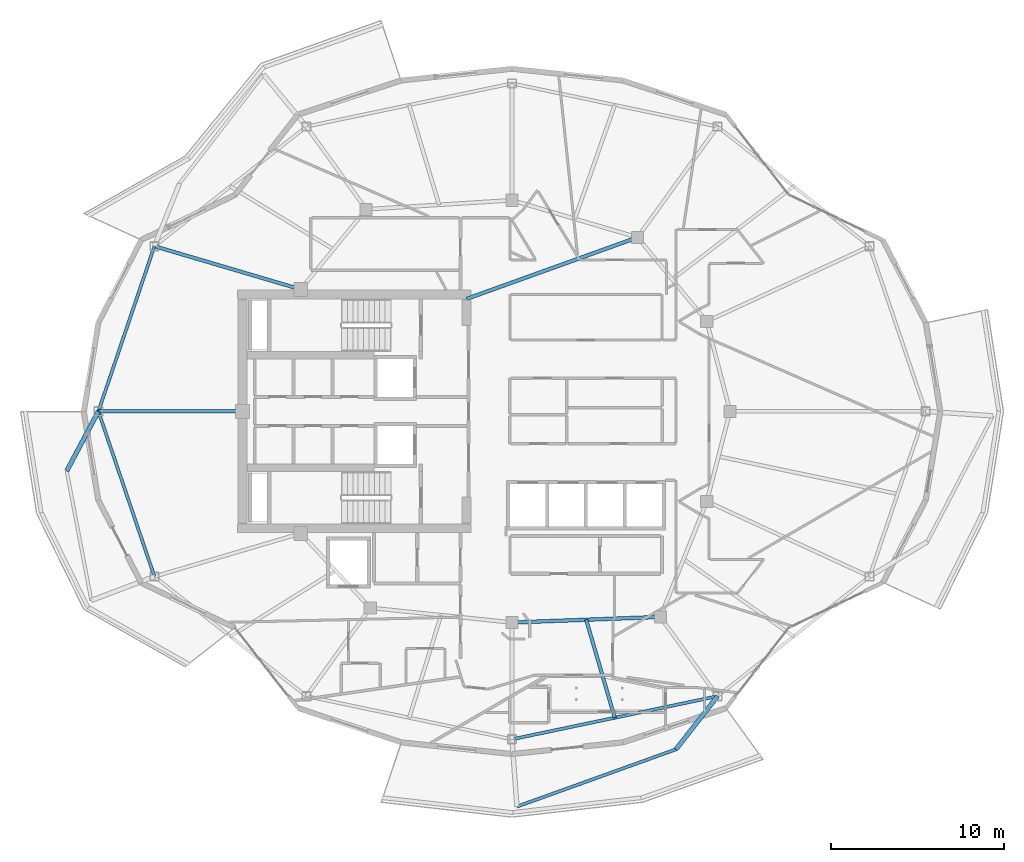
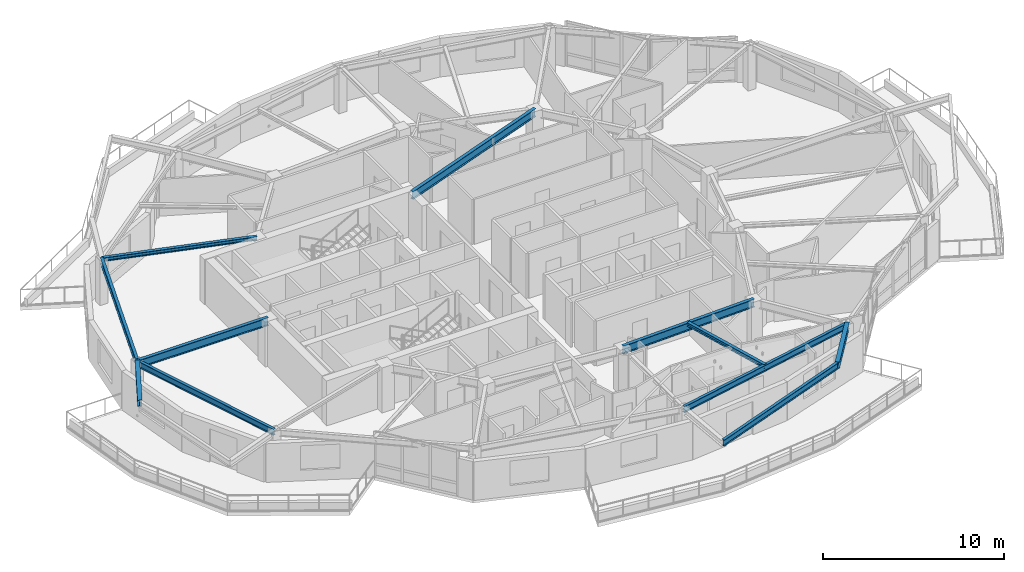
# One storey, part 3 of 21: 11 beams.
"""IFC4 building model written with IfcOpenShell, lengths in metres."""

from ifc_helpers import new_model, si_unit, direction, frame, origin, origin_2d, place, context, subcontext, project, spatial, i_section, extrude, material, material_profile, profile_set, type_object, element, save


model = new_model("IFC4")

# Units and contexts
model_context = context("Model", 3, precision=1e-05, world=origin(), true_north=direction((0.0, 1.0)))
body_context = subcontext(model_context, "Body", "Model", "MODEL_VIEW")
ifc_project = project(units=[si_unit("LENGTHUNIT", "METRE"), si_unit("AREAUNIT", "SQUARE_METRE"), si_unit("VOLUMEUNIT", "CUBIC_METRE"), si_unit("PLANEANGLEUNIT", "RADIAN"), si_unit("MASSUNIT", "GRAM", prefix="KILO")], contexts=[model_context])

# Site, building, storey
site_placement = place(None, origin())
site = spatial("IfcSite", under=ifc_project, at=site_placement, CompositionType="ELEMENT")
building_placement = place(site_placement, origin())
building = spatial("IfcBuilding", under=site, at=building_placement, Name="Kolvaren Gate Tower and Convention Centre", CompositionType="ELEMENT")
storey_placement = place(building_placement, frame((0.0, 0.0, 226.10009765625)))
storey = spatial("IfcBuildingStorey", under=building, at=storey_placement, Name="L60", CompositionType="ELEMENT", Elevation=226.10009765625)

# Beams
ifc_material = material(Name="Structural steel ASTM A992 Grade 345 MPa", Category="steel")
ifc_material_profile_1 = material_profile(ifc_material, i_section(OverallWidth=0.260009765625, OverallDepth=0.419921875, WebThickness=0.013427734375, FlangeThickness=0.0224609375, at=origin_2d()), Name="W410X132")
ifc_profile_set_1 = profile_set([ifc_material_profile_1], Name="Structural steel ASTM A992 Grade 345 MPa")
beam_type_1 = type_object("IfcBeamType", Name="STR-BM-W410X132", PredefinedType="BEAM", material=ifc_profile_set_1)
beam_1_placement = place(storey_placement, frame((6.22509765625, 27.0, 2.8203125), z_axis=(-0.469557949111, -0.882901655014, 0.0), x_axis=(0.882901655014, -0.469557949111, 0.0)))
element("IfcBeam", 1, at=beam_1_placement, inside=storey, type_object=beam_type_1, Name="Tower L61 Planted Balcony Outrigger Cantilever BC-2A", PredefinedType="BEAM", context=body_context, shape_type="SweptSolid", body=[
    extrude(i_section(OverallWidth=0.260009765625, OverallDepth=0.419921875, WebThickness=0.013427734375, FlangeThickness=0.0224609375, at=origin_2d()), origin(), (0.0, 0.0, 1.0), 3.900146484375),
])
beam_2_placement = place(storey_placement, frame((42.002685546875, 10.5419921875, 2.8203125), z_axis=(-0.615984127809, -0.787758563449, 0.0), x_axis=(0.787758563449, -0.615984127809, 0.0)))
element("IfcBeam", 2, at=beam_2_placement, inside=storey, type_object=beam_type_1, Name="Tower L61 Planted Balcony Outrigger Cantilever BC-3B", PredefinedType="BEAM", context=body_context, shape_type="SweptSolid", body=[
    extrude(i_section(OverallWidth=0.260009765625, OverallDepth=0.419921875, WebThickness=0.013427734375, FlangeThickness=0.0224609375, at=origin_2d()), origin(), (0.0, 0.0, 1.0), 3.89990234375),
])
ifc_material_profile_2 = material_profile(ifc_material, i_section(OverallWidth=0.2119140625, OverallDepth=0.5439453125, WebThickness=0.01318359375, FlangeThickness=0.021240234375, at=origin_2d()), Name="W530X123")
ifc_profile_set_2 = profile_set([ifc_material_profile_2], Name="Structural steel ASTM A992 Grade 345 MPa")
beam_type_2 = type_object("IfcBeamType", Name="STR-BM-W530X123", PredefinedType="BEAM", material=ifc_profile_set_2)
beam_3_placement = place(storey_placement, frame((30.125, 14.800048828125, 2.7578125), z_axis=(0.999301712453, 0.037364254142, 0.0), x_axis=(-0.037364254142, 0.999301712453, 0.0)))
element("IfcBeam", 3, at=beam_3_placement, inside=storey, type_object=beam_type_2, Name="Tower L60 Primary Ring Girder G-08", PredefinedType="BEAM", context=body_context, shape_type="SweptSolid", body=[
    extrude(i_section(OverallWidth=0.2119140625, OverallDepth=0.5439453125, WebThickness=0.01318359375, FlangeThickness=0.021240234375, at=origin_2d()), origin(), (0.0, 0.0, 1.0), 8.579345703125),
])
beam_4_placement = place(storey_placement, frame((27.5, 33.5, 2.7578125), z_axis=(0.940961479908, 0.338513653093, 0.0), x_axis=(-0.338513653093, 0.940961479908, 0.0)))
element("IfcBeam", 4, at=beam_4_placement, inside=storey, type_object=beam_type_2, Name="Tower L60 Primary Ring Girder G-10", PredefinedType="BEAM", context=body_context, shape_type="SweptSolid", body=[
    extrude(i_section(OverallWidth=0.2119140625, OverallDepth=0.5439453125, WebThickness=0.01318359375, FlangeThickness=0.021240234375, at=origin_2d()), origin(), (0.0, 0.0, 1.0), 10.501708984375),
])
beam_5_placement = place(storey_placement, frame((14.550048828125, 27.0, 2.7578125), z_axis=(-1.0, 0.0, 0.0), x_axis=(0.0, -1.0, 0.0)))
element("IfcBeam", 5, at=beam_5_placement, inside=storey, type_object=beam_type_2, Name="Tower L60 Radial Floor Girder RB-07", PredefinedType="BEAM", context=body_context, shape_type="SweptSolid", body=[
    extrude(i_section(OverallWidth=0.2119140625, OverallDepth=0.5439453125, WebThickness=0.01318359375, FlangeThickness=0.021240234375, at=origin_2d()), origin(), (0.0, 0.0, 1.0), 8.324951171875),
])
ifc_material_profile_3 = material_profile(ifc_material, i_section(OverallWidth=0.202880859375, OverallDepth=0.251953125, WebThickness=0.008056640625, FlangeThickness=0.013427734375, at=origin_2d()), Name="W250X58")
ifc_profile_set_3 = profile_set([ifc_material_profile_3], Name="Structural steel ASTM A992 Grade 345 MPa")
beam_type_3 = type_object("IfcBeamType", Name="STR-JS-W250X58", PredefinedType="JOIST", material=ifc_profile_set_3)
beam_6_placement = place(storey_placement, frame((17.9140625, 34.050048828125, 2.90380859375), z_axis=(-0.959121165581, 0.28299574155, 0.0), x_axis=(-0.28299574155, -0.959121165581, 0.0)))
element("IfcBeam", 6, at=beam_6_placement, inside=storey, type_object=beam_type_3, Name="Tower L60 Radial Floor Girder RB-06", PredefinedType="JOIST", context=body_context, shape_type="SweptSolid", body=[
    extrude(i_section(OverallWidth=0.202880859375, OverallDepth=0.251953125, WebThickness=0.008056640625, FlangeThickness=0.013427734375, at=origin_2d()), origin(), (0.0, 0.0, 1.0), 8.8115234375),
])
beam_7_placement = place(storey_placement, frame((34.41162109375, 14.960205078125, 2.90380859375), z_axis=(0.280001588896, -0.959999536571, 0.0), x_axis=(0.959999536571, 0.280001588896, 0.0)))
element("IfcBeam", 7, at=beam_7_placement, inside=storey, type_object=beam_type_3, Name="Tower L60 Secondary Composite Floor Joist J-10.1", PredefinedType="JOIST", context=body_context, shape_type="SweptSolid", body=[
    extrude(i_section(OverallWidth=0.202880859375, OverallDepth=0.251953125, WebThickness=0.008056640625, FlangeThickness=0.013427734375, at=origin_2d()), origin(), (0.0, 0.0, 1.0), 5.900390625),
])
ifc_material_profile_4 = material_profile(ifc_material, i_section(OverallWidth=0.180908203125, OverallDepth=0.4169921875, WebThickness=0.010986328125, FlangeThickness=0.018310546875, at=origin_2d()), Name="W410X85")
ifc_profile_set_4 = profile_set([ifc_material_profile_4], Name="Structural steel ASTM A992 Grade 345 MPa")
beam_type_4 = type_object("IfcBeamType", Name="STR-SP-W410X85", PredefinedType="SPANDREL", material=ifc_profile_set_4)
for number, where, z_axis, x_axis, name in (
    (8, (9.462646484375, 36.543701171875, 2.8212890625), (-0.321252507379, -0.946993572577, 0.0), (0.946993572577, -0.321252507379, 0.0), "Tower L60 Perimeter Spandrel Beam SP-06"),
    (9, (6.22509765625, 27.0, 2.8212890625), (0.321252507379, -0.946993572577, 0.0), (0.946993572577, 0.321252507379, 0.0), "Tower L60 Perimeter Spandrel Beam SP-07"),
):
    element("IfcBeam", number, at=place(storey_placement, frame(where, z_axis=z_axis, x_axis=x_axis)), inside=storey, type_object=beam_type_4, Name=name, PredefinedType="SPANDREL", context=body_context, shape_type="SweptSolid", body=[
        extrude(i_section(OverallWidth=0.180908203125, OverallDepth=0.4169921875, WebThickness=0.010986328125, FlangeThickness=0.018310546875, at=origin_2d()), origin(), (0.0, 0.0, 1.0), 10.077880859375),
    ])
beam_8_placement = place(storey_placement, frame((30.125, 8.050048828125, 2.8212890625), z_axis=(0.978692765917, 0.205330148645, 0.0), x_axis=(-0.205330148645, 0.978692765917, 0.0)))
element("IfcBeam", 10, at=beam_8_placement, inside=storey, type_object=beam_type_4, Name="Tower L60 Perimeter Spandrel Beam SP-10", PredefinedType="SPANDREL", context=body_context, shape_type="SweptSolid", body=[
    extrude(i_section(OverallWidth=0.180908203125, OverallDepth=0.4169921875, WebThickness=0.010986328125, FlangeThickness=0.018310546875, at=origin_2d()), origin(), (0.0, 0.0, 1.0), 12.13623046875),
])
beam_9_placement = place(storey_placement, frame((30.410400390625, 4.160400390625, 2.822021484375), z_axis=(0.940856500711, 0.338805320311, 0.0), x_axis=(-0.338805320311, 0.940856500711, 0.0)))
element("IfcBeam", 11, at=beam_9_placement, inside=storey, type_object=beam_type_4, Name="Tower L61 Planted Balcony Header Tie Beam BT-3", PredefinedType="SPANDREL", context=body_context, shape_type="SweptSolid", body=[
    extrude(i_section(OverallWidth=0.180908203125, OverallDepth=0.4169921875, WebThickness=0.010986328125, FlangeThickness=0.018310546875, at=origin_2d()), origin(), (0.0, 0.0, 1.0), 9.767578125),
])

save(model, "model.ifc")
